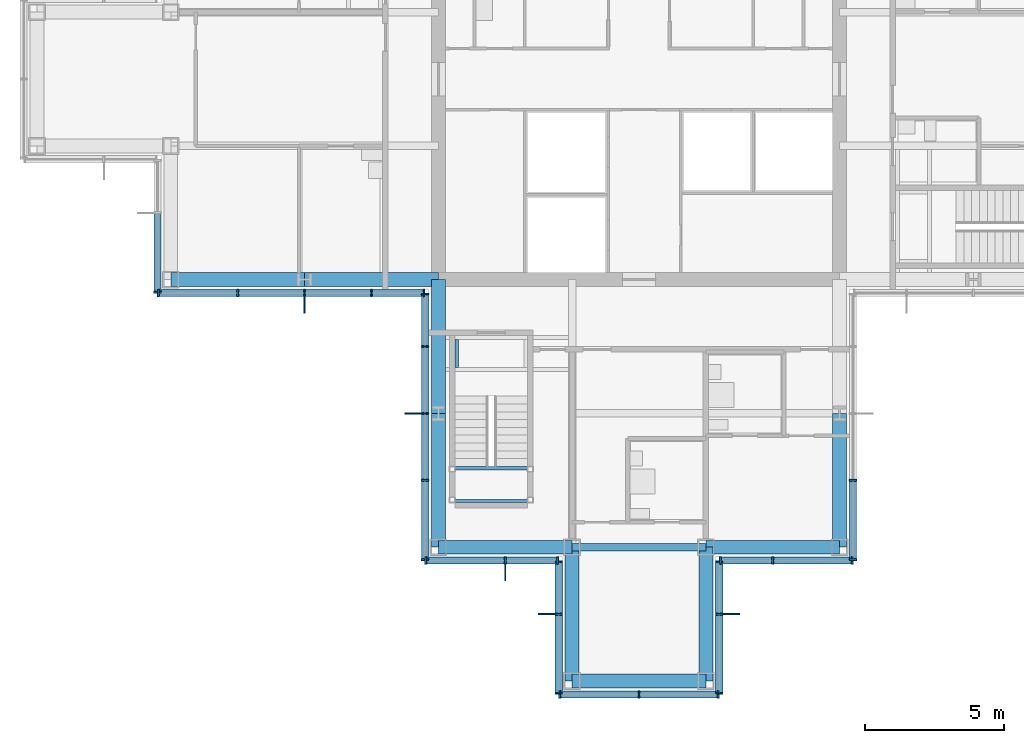
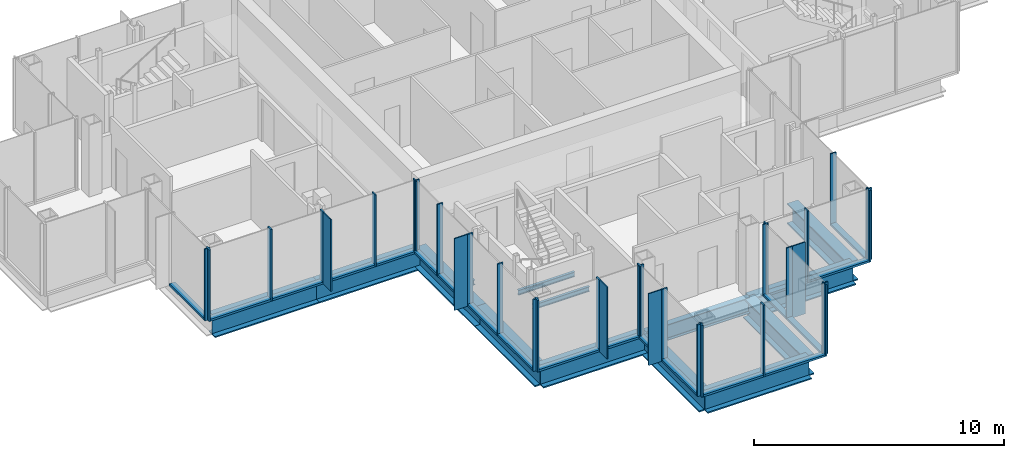
# One storey, part 5 of 15: 53 members, 14 beams, 9 elements without a shape of their own.
"""IFC4 building model written with IfcOpenShell, lengths in metres."""

from ifc_helpers import new_model, si_unit, direction, frame, origin, origin_2d, place, context, subcontext, project, spatial, rectangle, i_section, extrude, material, material_profile, profile_set, type_object, element, aggregate, save


model = new_model("IFC4")

# Units and contexts
model_context = context("Model", 3, precision=1e-05, world=origin(), true_north=direction((0.0, 1.0)))
body_context = subcontext(model_context, "Body", "Model", "MODEL_VIEW")
ifc_project = project(units=[si_unit("LENGTHUNIT", "METRE"), si_unit("AREAUNIT", "SQUARE_METRE"), si_unit("VOLUMEUNIT", "CUBIC_METRE"), si_unit("PLANEANGLEUNIT", "RADIAN"), si_unit("MASSUNIT", "GRAM", prefix="KILO")], contexts=[model_context])

# Site, building, storey
site_placement = place(None, origin())
site = spatial("IfcSite", under=ifc_project, at=site_placement, CompositionType="ELEMENT")
building_placement = place(site_placement, origin())
building = spatial("IfcBuilding", under=site, at=building_placement, Name="Kvirike Care Tower", CompositionType="ELEMENT")
storey_placement = place(building_placement, frame((0.0, 0.0, 236.5)))
storey = spatial("IfcBuildingStorey", under=building, at=storey_placement, Name="L65", CompositionType="ELEMENT", Elevation=236.5)

# Curtain wall, member
ifc_material_1 = material(Name="Anodised aluminium stick system", Category="aluminium")
curtain_wall_type = type_object("IfcCurtainWallType", Name="CW-D STICK CURTAIN WALL", PredefinedType="NOTDEFINED", material=ifc_material_1)
curtain_wall_1_placement = place(storey_placement, origin())
curtain_wall_1 = element("IfcCurtainWall", 1, at=curtain_wall_1_placement, inside=storey, type_object=curtain_wall_type, Name="Curtain wall L65 face 13", PredefinedType="NOTDEFINED")
ifc_material_2 = material(Name="Bronze anodised aluminium fin", Category="aluminium")
ifc_material_profile_1 = material_profile(ifc_material_2, rectangle(XDim=0.050048828125, YDim=0.60009765625, at=origin_2d()), Name="BRONZE FIN 600")
ifc_profile_set_1 = profile_set([ifc_material_profile_1], Name="Bronze anodised aluminium fin")
member_type_1 = type_object("IfcMemberType", Name="BRONZE FIN 600", PredefinedType="USERDEFINED", material=ifc_profile_set_1)
member_1_placement = place(storey_placement, frame((9.60009765625, 27.889892578125, 0.0), z_axis=(0.0, 0.0, 1.0), x_axis=(1.0, 0.0, 0.0)))
member_1 = element("IfcMember", 2, at=member_1_placement, type_object=member_type_1, Name="Bronze fin L65 face 13.3", ObjectType="FIN", PredefinedType="USERDEFINED", context=body_context, shape_type="SweptSolid", body=[
    extrude(rectangle(XDim=0.050048828125, YDim=0.60009765625, at=origin_2d()), origin(), (0.0, 0.0, 1.0), 3.5),
])

curtain_wall_2_placement = place(storey_placement, origin())
curtain_wall_2 = element("IfcCurtainWall", 3, at=curtain_wall_2_placement, inside=storey, type_object=curtain_wall_type, Name="Curtain wall L65 face 14", PredefinedType="NOTDEFINED")
member_2_placement = place(storey_placement, frame((13.489990234375, 24.0, 0.0), z_axis=(0.0, 0.0, 1.0), x_axis=(0.0, -1.0, 0.0)))
member_2 = element("IfcMember", 4, at=member_2_placement, type_object=member_type_1, Name="Bronze fin L65 face 14.3", ObjectType="FIN", PredefinedType="USERDEFINED", context=body_context, shape_type="SweptSolid", body=[
    extrude(rectangle(XDim=0.050048828125, YDim=0.60009765625, at=origin_2d()), origin(), (0.0, 0.0, 1.0), 3.5),
])

curtain_wall_3_placement = place(storey_placement, origin())
curtain_wall_3 = element("IfcCurtainWall", 5, at=curtain_wall_3_placement, inside=storey, type_object=curtain_wall_type, Name="Curtain wall L65 face 15", PredefinedType="NOTDEFINED")
member_3_placement = place(storey_placement, frame((16.800048828125, 18.2900390625, 0.0), z_axis=(0.0, 0.0, 1.0), x_axis=(1.0, 0.0, 0.0)))
member_3 = element("IfcMember", 6, at=member_3_placement, type_object=member_type_1, Name="Bronze fin L65 face 15.2", ObjectType="FIN", PredefinedType="USERDEFINED", context=body_context, shape_type="SweptSolid", body=[
    extrude(rectangle(XDim=0.050048828125, YDim=0.60009765625, at=origin_2d()), origin(), (0.0, 0.0, 1.0), 3.5),
])

curtain_wall_4_placement = place(storey_placement, origin())
curtain_wall_4 = element("IfcCurtainWall", 7, at=curtain_wall_4_placement, inside=storey, type_object=curtain_wall_type, Name="Curtain wall L65 face 16", PredefinedType="NOTDEFINED")
member_4_placement = place(storey_placement, frame((18.2900390625, 16.800048828125, 0.0), z_axis=(0.0, 0.0, 1.0), x_axis=(0.0, -1.0, 0.0)))
member_4 = element("IfcMember", 8, at=member_4_placement, type_object=member_type_1, Name="Bronze fin L65 face 16.2", ObjectType="FIN", PredefinedType="USERDEFINED", context=body_context, shape_type="SweptSolid", body=[
    extrude(rectangle(XDim=0.050048828125, YDim=0.60009765625, at=origin_2d()), origin(), (0.0, 0.0, 1.0), 3.5),
])

curtain_wall_5_placement = place(storey_placement, origin())
curtain_wall_5 = element("IfcCurtainWall", 9, at=curtain_wall_5_placement, inside=storey, type_object=curtain_wall_type, Name="Curtain wall L65 face 18", PredefinedType="NOTDEFINED")
member_5_placement = place(storey_placement, frame((24.909912109375, 16.800048828125, 0.0), z_axis=(0.0, 0.0, 1.0), x_axis=(0.0, 1.0, 0.0)))
member_5 = element("IfcMember", 10, at=member_5_placement, type_object=member_type_1, Name="Bronze fin L65 face 18.2", ObjectType="FIN", PredefinedType="USERDEFINED", context=body_context, shape_type="SweptSolid", body=[
    extrude(rectangle(XDim=0.050048828125, YDim=0.60009765625, at=origin_2d()), origin(), (0.0, 0.0, 1.0), 3.5),
])

curtain_wall_6_placement = place(storey_placement, origin())
curtain_wall_6 = element("IfcCurtainWall", 11, at=curtain_wall_6_placement, inside=storey, type_object=curtain_wall_type, Name="Curtain wall L65 face 12", PredefinedType="NOTDEFINED")
ifc_material_3 = material(Name="Bronze anodised aluminium mullion", Category="aluminium")
ifc_material_profile_2 = material_profile(ifc_material_3, rectangle(XDim=0.06494140625, YDim=0.260009765625, at=origin_2d()), Name="CW-D MULLION 65x260")
ifc_profile_set_2 = profile_set([ifc_material_profile_2], Name="Bronze anodised aluminium mullion")
member_type_2 = type_object("IfcMemberType", Name="CW-D MULLION 65x260", PredefinedType="MULLION", material=ifc_profile_set_2)
member_6_placement = place(storey_placement, frame((4.320068359375, 28.3525390625, 0.0), z_axis=(0.0, 0.0, 1.0), x_axis=(0.0, -1.0, 0.0)))
member_6 = element("IfcMember", 12, at=member_6_placement, type_object=member_type_2, Name="CW-D mullion L65 face 12.3", PredefinedType="MULLION", context=body_context, shape_type="SweptSolid", body=[
    extrude(rectangle(XDim=0.06494140625, YDim=0.260009765625, at=origin_2d()), origin(), (0.0, 0.0, 1.0), 3.5),
])

# Member
member_7_placement = place(storey_placement, frame((4.3525390625, 28.320068359375, 0.0), z_axis=(0.0, 0.0, 1.0), x_axis=(1.0, 0.0, 0.0)))
member_7 = element("IfcMember", 13, at=member_7_placement, type_object=member_type_2, Name="CW-D mullion L65 face 13.1", PredefinedType="MULLION", context=body_context, shape_type="SweptSolid", body=[
    extrude(rectangle(XDim=0.06494140625, YDim=0.260009765625, at=origin_2d()), origin(), (0.0, 0.0, 1.0), 3.5),
])

member_8_placement = place(storey_placement, frame((7.199951171875, 28.320068359375, 0.0), z_axis=(0.0, 0.0, 1.0), x_axis=(1.0, 0.0, 0.0)))
member_8 = element("IfcMember", 14, at=member_8_placement, type_object=member_type_2, Name="CW-D mullion L65 face 13.2", PredefinedType="MULLION", context=body_context, shape_type="SweptSolid", body=[
    extrude(rectangle(XDim=0.06494140625, YDim=0.260009765625, at=origin_2d()), origin(), (0.0, 0.0, 1.0), 3.5),
])

member_9_placement = place(storey_placement, frame((9.60009765625, 28.320068359375, 0.0), z_axis=(0.0, 0.0, 1.0), x_axis=(1.0, 0.0, 0.0)))
member_9 = element("IfcMember", 15, at=member_9_placement, type_object=member_type_2, Name="CW-D mullion L65 face 13.3", PredefinedType="MULLION", context=body_context, shape_type="SweptSolid", body=[
    extrude(rectangle(XDim=0.06494140625, YDim=0.260009765625, at=origin_2d()), origin(), (0.0, 0.0, 1.0), 3.5),
])

member_10_placement = place(storey_placement, frame((12.0, 28.320068359375, 0.0), z_axis=(0.0, 0.0, 1.0), x_axis=(1.0, 0.0, 0.0)))
member_10 = element("IfcMember", 16, at=member_10_placement, type_object=member_type_2, Name="CW-D mullion L65 face 13.4", PredefinedType="MULLION", context=body_context, shape_type="SweptSolid", body=[
    extrude(rectangle(XDim=0.06494140625, YDim=0.260009765625, at=origin_2d()), origin(), (0.0, 0.0, 1.0), 3.5),
])

member_11_placement = place(storey_placement, frame((13.887451171875, 28.320068359375, 0.0), z_axis=(0.0, 0.0, 1.0), x_axis=(1.0, 0.0, 0.0)))
member_11 = element("IfcMember", 17, at=member_11_placement, type_object=member_type_2, Name="CW-D mullion L65 face 13.5", PredefinedType="MULLION", context=body_context, shape_type="SweptSolid", body=[
    extrude(rectangle(XDim=0.06494140625, YDim=0.260009765625, at=origin_2d()), origin(), (0.0, 0.0, 1.0), 3.5),
])

member_12_placement = place(storey_placement, frame((13.919921875, 28.28759765625, 0.0), z_axis=(0.0, 0.0, 1.0), x_axis=(0.0, -1.0, 0.0)))
member_12 = element("IfcMember", 18, at=member_12_placement, type_object=member_type_2, Name="CW-D mullion L65 face 14.1", PredefinedType="MULLION", context=body_context, shape_type="SweptSolid", body=[
    extrude(rectangle(XDim=0.06494140625, YDim=0.260009765625, at=origin_2d()), origin(), (0.0, 0.0, 1.0), 3.5),
])

member_13_placement = place(storey_placement, frame((13.919921875, 26.39990234375, 0.0), z_axis=(0.0, 0.0, 1.0), x_axis=(0.0, -1.0, 0.0)))
member_13 = element("IfcMember", 19, at=member_13_placement, type_object=member_type_2, Name="CW-D mullion L65 face 14.2", PredefinedType="MULLION", context=body_context, shape_type="SweptSolid", body=[
    extrude(rectangle(XDim=0.06494140625, YDim=0.260009765625, at=origin_2d()), origin(), (0.0, 0.0, 1.0), 3.5),
])

member_14_placement = place(storey_placement, frame((13.919921875, 24.0, 0.0), z_axis=(0.0, 0.0, 1.0), x_axis=(0.0, -1.0, 0.0)))
member_14 = element("IfcMember", 20, at=member_14_placement, type_object=member_type_2, Name="CW-D mullion L65 face 14.3", PredefinedType="MULLION", context=body_context, shape_type="SweptSolid", body=[
    extrude(rectangle(XDim=0.06494140625, YDim=0.260009765625, at=origin_2d()), origin(), (0.0, 0.0, 1.0), 3.5),
])

member_15_placement = place(storey_placement, frame((13.919921875, 21.60009765625, 0.0), z_axis=(0.0, 0.0, 1.0), x_axis=(0.0, -1.0, 0.0)))
member_15 = element("IfcMember", 21, at=member_15_placement, type_object=member_type_2, Name="CW-D mullion L65 face 14.4", PredefinedType="MULLION", context=body_context, shape_type="SweptSolid", body=[
    extrude(rectangle(XDim=0.06494140625, YDim=0.260009765625, at=origin_2d()), origin(), (0.0, 0.0, 1.0), 3.5),
])

member_16_placement = place(storey_placement, frame((13.919921875, 18.75244140625, 0.0), z_axis=(0.0, 0.0, 1.0), x_axis=(0.0, -1.0, 0.0)))
member_16 = element("IfcMember", 22, at=member_16_placement, type_object=member_type_2, Name="CW-D mullion L65 face 14.5", PredefinedType="MULLION", context=body_context, shape_type="SweptSolid", body=[
    extrude(rectangle(XDim=0.06494140625, YDim=0.260009765625, at=origin_2d()), origin(), (0.0, 0.0, 1.0), 3.5),
])

member_17_placement = place(storey_placement, frame((13.952392578125, 18.719970703125, 0.0), z_axis=(0.0, 0.0, 1.0), x_axis=(1.0, 0.0, 0.0)))
member_17 = element("IfcMember", 23, at=member_17_placement, type_object=member_type_2, Name="CW-D mullion L65 face 15.1", PredefinedType="MULLION", context=body_context, shape_type="SweptSolid", body=[
    extrude(rectangle(XDim=0.06494140625, YDim=0.260009765625, at=origin_2d()), origin(), (0.0, 0.0, 1.0), 3.5),
])

member_18_placement = place(storey_placement, frame((16.800048828125, 18.719970703125, 0.0), z_axis=(0.0, 0.0, 1.0), x_axis=(1.0, 0.0, 0.0)))
member_18 = element("IfcMember", 24, at=member_18_placement, type_object=member_type_2, Name="CW-D mullion L65 face 15.2", PredefinedType="MULLION", context=body_context, shape_type="SweptSolid", body=[
    extrude(rectangle(XDim=0.06494140625, YDim=0.260009765625, at=origin_2d()), origin(), (0.0, 0.0, 1.0), 3.5),
])

member_19_placement = place(storey_placement, frame((18.6875, 18.719970703125, 0.0), z_axis=(0.0, 0.0, 1.0), x_axis=(1.0, 0.0, 0.0)))
member_19 = element("IfcMember", 25, at=member_19_placement, type_object=member_type_2, Name="CW-D mullion L65 face 15.3", PredefinedType="MULLION", context=body_context, shape_type="SweptSolid", body=[
    extrude(rectangle(XDim=0.06494140625, YDim=0.260009765625, at=origin_2d()), origin(), (0.0, 0.0, 1.0), 3.5),
])

member_20_placement = place(storey_placement, frame((18.719970703125, 18.6875, 0.0), z_axis=(0.0, 0.0, 1.0), x_axis=(0.0, -1.0, 0.0)))
member_20 = element("IfcMember", 26, at=member_20_placement, type_object=member_type_2, Name="CW-D mullion L65 face 16.1", PredefinedType="MULLION", context=body_context, shape_type="SweptSolid", body=[
    extrude(rectangle(XDim=0.06494140625, YDim=0.260009765625, at=origin_2d()), origin(), (0.0, 0.0, 1.0), 3.5),
])

member_21_placement = place(storey_placement, frame((18.719970703125, 16.800048828125, 0.0), z_axis=(0.0, 0.0, 1.0), x_axis=(0.0, -1.0, 0.0)))
member_21 = element("IfcMember", 27, at=member_21_placement, type_object=member_type_2, Name="CW-D mullion L65 face 16.2", PredefinedType="MULLION", context=body_context, shape_type="SweptSolid", body=[
    extrude(rectangle(XDim=0.06494140625, YDim=0.260009765625, at=origin_2d()), origin(), (0.0, 0.0, 1.0), 3.5),
])

member_22_placement = place(storey_placement, frame((18.719970703125, 13.952392578125, 0.0), z_axis=(0.0, 0.0, 1.0), x_axis=(0.0, -1.0, 0.0)))
member_22 = element("IfcMember", 28, at=member_22_placement, type_object=member_type_2, Name="CW-D mullion L65 face 16.3", PredefinedType="MULLION", context=body_context, shape_type="SweptSolid", body=[
    extrude(rectangle(XDim=0.06494140625, YDim=0.260009765625, at=origin_2d()), origin(), (0.0, 0.0, 1.0), 3.5),
])

# Curtain wall, members
curtain_wall_7_placement = place(storey_placement, origin())
curtain_wall_7 = element("IfcCurtainWall", 29, at=curtain_wall_7_placement, inside=storey, type_object=curtain_wall_type, Name="Curtain wall L65 face 17", PredefinedType="NOTDEFINED")
member_23_placement = place(storey_placement, frame((18.75244140625, 13.919921875, 0.0), z_axis=(0.0, 0.0, 1.0), x_axis=(1.0, 0.0, 0.0)))
member_23 = element("IfcMember", 30, at=member_23_placement, type_object=member_type_2, Name="CW-D mullion L65 face 17.1", PredefinedType="MULLION", context=body_context, shape_type="SweptSolid", body=[
    extrude(rectangle(XDim=0.06494140625, YDim=0.260009765625, at=origin_2d()), origin(), (0.0, 0.0, 1.0), 3.5),
])
member_24_placement = place(storey_placement, frame((21.60009765625, 13.919921875, 0.0), z_axis=(0.0, 0.0, 1.0), x_axis=(1.0, 0.0, 0.0)))
member_24 = element("IfcMember", 31, at=member_24_placement, type_object=member_type_2, Name="CW-D mullion L65 face 17.2", PredefinedType="MULLION", context=body_context, shape_type="SweptSolid", body=[
    extrude(rectangle(XDim=0.06494140625, YDim=0.260009765625, at=origin_2d()), origin(), (0.0, 0.0, 1.0), 3.5),
])
member_25_placement = place(storey_placement, frame((24.447509765625, 13.919921875, 0.0), z_axis=(0.0, 0.0, 1.0), x_axis=(1.0, 0.0, 0.0)))
member_25 = element("IfcMember", 32, at=member_25_placement, type_object=member_type_2, Name="CW-D mullion L65 face 17.3", PredefinedType="MULLION", context=body_context, shape_type="SweptSolid", body=[
    extrude(rectangle(XDim=0.06494140625, YDim=0.260009765625, at=origin_2d()), origin(), (0.0, 0.0, 1.0), 3.5),
])

# Member
member_26_placement = place(storey_placement, frame((24.47998046875, 13.952392578125, 0.0), z_axis=(0.0, 0.0, 1.0), x_axis=(0.0, 1.0, 0.0)))
member_26 = element("IfcMember", 33, at=member_26_placement, type_object=member_type_2, Name="CW-D mullion L65 face 18.1", PredefinedType="MULLION", context=body_context, shape_type="SweptSolid", body=[
    extrude(rectangle(XDim=0.06494140625, YDim=0.260009765625, at=origin_2d()), origin(), (0.0, 0.0, 1.0), 3.5),
])

member_27_placement = place(storey_placement, frame((24.47998046875, 16.800048828125, 0.0), z_axis=(0.0, 0.0, 1.0), x_axis=(0.0, 1.0, 0.0)))
member_27 = element("IfcMember", 34, at=member_27_placement, type_object=member_type_2, Name="CW-D mullion L65 face 18.2", PredefinedType="MULLION", context=body_context, shape_type="SweptSolid", body=[
    extrude(rectangle(XDim=0.06494140625, YDim=0.260009765625, at=origin_2d()), origin(), (0.0, 0.0, 1.0), 3.5),
])

member_28_placement = place(storey_placement, frame((24.47998046875, 18.6875, 0.0), z_axis=(0.0, 0.0, 1.0), x_axis=(0.0, 1.0, 0.0)))
member_28 = element("IfcMember", 35, at=member_28_placement, type_object=member_type_2, Name="CW-D mullion L65 face 18.3", PredefinedType="MULLION", context=body_context, shape_type="SweptSolid", body=[
    extrude(rectangle(XDim=0.06494140625, YDim=0.260009765625, at=origin_2d()), origin(), (0.0, 0.0, 1.0), 3.5),
])

# Curtain wall, members
curtain_wall_8_placement = place(storey_placement, origin())
curtain_wall_8 = element("IfcCurtainWall", 36, at=curtain_wall_8_placement, inside=storey, type_object=curtain_wall_type, Name="Curtain wall L65 face 19", PredefinedType="NOTDEFINED")
member_29_placement = place(storey_placement, frame((24.512451171875, 18.719970703125, 0.0), z_axis=(0.0, 0.0, 1.0), x_axis=(1.0, 0.0, 0.0)))
member_29 = element("IfcMember", 37, at=member_29_placement, type_object=member_type_2, Name="CW-D mullion L65 face 19.1", PredefinedType="MULLION", context=body_context, shape_type="SweptSolid", body=[
    extrude(rectangle(XDim=0.06494140625, YDim=0.260009765625, at=origin_2d()), origin(), (0.0, 0.0, 1.0), 3.5),
])
member_30_placement = place(storey_placement, frame((26.39990234375, 18.719970703125, 0.0), z_axis=(0.0, 0.0, 1.0), x_axis=(1.0, 0.0, 0.0)))
member_30 = element("IfcMember", 38, at=member_30_placement, type_object=member_type_2, Name="CW-D mullion L65 face 19.2", PredefinedType="MULLION", context=body_context, shape_type="SweptSolid", body=[
    extrude(rectangle(XDim=0.06494140625, YDim=0.260009765625, at=origin_2d()), origin(), (0.0, 0.0, 1.0), 3.5),
])
member_31_placement = place(storey_placement, frame((29.24755859375, 18.719970703125, 0.0), z_axis=(0.0, 0.0, 1.0), x_axis=(1.0, 0.0, 0.0)))
member_31 = element("IfcMember", 39, at=member_31_placement, type_object=member_type_2, Name="CW-D mullion L65 face 19.3", PredefinedType="MULLION", context=body_context, shape_type="SweptSolid", body=[
    extrude(rectangle(XDim=0.06494140625, YDim=0.260009765625, at=origin_2d()), origin(), (0.0, 0.0, 1.0), 3.5),
])

curtain_wall_9_placement = place(storey_placement, origin())
curtain_wall_9 = element("IfcCurtainWall", 40, at=curtain_wall_9_placement, inside=storey, type_object=curtain_wall_type, Name="Curtain wall L65 face 20", PredefinedType="NOTDEFINED")
member_32_placement = place(storey_placement, frame((29.280029296875, 18.75244140625, 0.0), z_axis=(0.0, 0.0, 1.0), x_axis=(0.0, 1.0, 0.0)))
member_32 = element("IfcMember", 41, at=member_32_placement, type_object=member_type_2, Name="CW-D mullion L65 face 20.1", PredefinedType="MULLION", context=body_context, shape_type="SweptSolid", body=[
    extrude(rectangle(XDim=0.06494140625, YDim=0.260009765625, at=origin_2d()), origin(), (0.0, 0.0, 1.0), 3.5),
])
member_33_placement = place(storey_placement, frame((29.280029296875, 21.60009765625, 0.0), z_axis=(0.0, 0.0, 1.0), x_axis=(0.0, 1.0, 0.0)))
member_33 = element("IfcMember", 42, at=member_33_placement, type_object=member_type_2, Name="CW-D mullion L65 face 20.2", PredefinedType="MULLION", context=body_context, shape_type="SweptSolid", body=[
    extrude(rectangle(XDim=0.06494140625, YDim=0.260009765625, at=origin_2d()), origin(), (0.0, 0.0, 1.0), 3.5),
])

# Member
ifc_material_4 = material(Name="Bronze anodised aluminium transom", Category="aluminium")
ifc_material_profile_3 = material_profile(ifc_material_4, rectangle(XDim=0.260009765625, YDim=0.10009765625, at=origin_2d()), Name="CW-D TRANSOM 260x100")
ifc_profile_set_3 = profile_set([ifc_material_profile_3], Name="Bronze anodised aluminium transom")
member_type_3 = type_object("IfcMemberType", Name="CW-D TRANSOM 260x100", PredefinedType="USERDEFINED", material=ifc_profile_set_3)
member_34_placement = place(storey_placement, frame((4.320068359375, 31.16748046875, 0.050048828125), z_axis=(0.0, -1.0, 0.0), x_axis=(1.0, 0.0, 0.0)))
member_34 = element("IfcMember", 43, at=member_34_placement, type_object=member_type_3, Name="CW-D sill transom L65 face 12.2", ObjectType="TRANSOM", PredefinedType="USERDEFINED", context=body_context, shape_type="SweptSolid", body=[
    extrude(rectangle(XDim=0.260009765625, YDim=0.10009765625, at=origin_2d()), origin(), (0.0, 0.0, 1.0), 2.782470703125),
])

aggregate(curtain_wall_6, [member_6, member_34])

member_35_placement = place(storey_placement, frame((4.385009765625, 28.320068359375, 0.050048828125), z_axis=(1.0, 0.0, 0.0), x_axis=(0.0, 1.0, 0.0)))
member_35 = element("IfcMember", 44, at=member_35_placement, type_object=member_type_3, Name="CW-D sill transom L65 face 13.1", ObjectType="TRANSOM", PredefinedType="USERDEFINED", context=body_context, shape_type="SweptSolid", body=[
    extrude(rectangle(XDim=0.260009765625, YDim=0.10009765625, at=origin_2d()), origin(), (0.0, 0.0, 1.0), 2.782470703125),
])

member_36_placement = place(storey_placement, frame((7.232421875, 28.320068359375, 0.050048828125), z_axis=(1.0, 0.0, 0.0), x_axis=(0.0, 1.0, 0.0)))
member_36 = element("IfcMember", 45, at=member_36_placement, type_object=member_type_3, Name="CW-D sill transom L65 face 13.2", ObjectType="TRANSOM", PredefinedType="USERDEFINED", context=body_context, shape_type="SweptSolid", body=[
    extrude(rectangle(XDim=0.260009765625, YDim=0.10009765625, at=origin_2d()), origin(), (0.0, 0.0, 1.0), 2.3349609375),
])

member_37_placement = place(storey_placement, frame((9.632568359375, 28.320068359375, 0.050048828125), z_axis=(1.0, 0.0, 0.0), x_axis=(0.0, 1.0, 0.0)))
member_37 = element("IfcMember", 46, at=member_37_placement, type_object=member_type_3, Name="CW-D sill transom L65 face 13.3", ObjectType="TRANSOM", PredefinedType="USERDEFINED", context=body_context, shape_type="SweptSolid", body=[
    extrude(rectangle(XDim=0.260009765625, YDim=0.10009765625, at=origin_2d()), origin(), (0.0, 0.0, 1.0), 2.3349609375),
])

member_38_placement = place(storey_placement, frame((12.032470703125, 28.320068359375, 0.050048828125), z_axis=(1.0, 0.0, 0.0), x_axis=(0.0, 1.0, 0.0)))
member_38 = element("IfcMember", 47, at=member_38_placement, type_object=member_type_3, Name="CW-D sill transom L65 face 13.4", ObjectType="TRANSOM", PredefinedType="USERDEFINED", context=body_context, shape_type="SweptSolid", body=[
    extrude(rectangle(XDim=0.260009765625, YDim=0.10009765625, at=origin_2d()), origin(), (0.0, 0.0, 1.0), 1.822509765625),
])

aggregate(curtain_wall_1, [member_7, member_8, member_9, member_1, member_10, member_11, member_35, member_36, member_37, member_38])

member_39_placement = place(storey_placement, frame((13.919921875, 28.2548828125, 0.050048828125), z_axis=(0.0, -1.0, 0.0), x_axis=(1.0, 0.0, 0.0)))
member_39 = element("IfcMember", 48, at=member_39_placement, type_object=member_type_3, Name="CW-D sill transom L65 face 14.1", ObjectType="TRANSOM", PredefinedType="USERDEFINED", context=body_context, shape_type="SweptSolid", body=[
    extrude(rectangle(XDim=0.260009765625, YDim=0.10009765625, at=origin_2d()), origin(), (0.0, 0.0, 1.0), 1.822265625),
])

member_40_placement = place(storey_placement, frame((13.919921875, 26.367431640625, 0.050048828125), z_axis=(0.0, -1.0, 0.0), x_axis=(1.0, 0.0, 0.0)))
member_40 = element("IfcMember", 49, at=member_40_placement, type_object=member_type_3, Name="CW-D sill transom L65 face 14.2", ObjectType="TRANSOM", PredefinedType="USERDEFINED", context=body_context, shape_type="SweptSolid", body=[
    extrude(rectangle(XDim=0.260009765625, YDim=0.10009765625, at=origin_2d()), origin(), (0.0, 0.0, 1.0), 2.3349609375),
])

member_41_placement = place(storey_placement, frame((13.919921875, 23.967529296875, 0.050048828125), z_axis=(0.0, -1.0, 0.0), x_axis=(1.0, 0.0, 0.0)))
member_41 = element("IfcMember", 50, at=member_41_placement, type_object=member_type_3, Name="CW-D sill transom L65 face 14.3", ObjectType="TRANSOM", PredefinedType="USERDEFINED", context=body_context, shape_type="SweptSolid", body=[
    extrude(rectangle(XDim=0.260009765625, YDim=0.10009765625, at=origin_2d()), origin(), (0.0, 0.0, 1.0), 2.3349609375),
])

member_42_placement = place(storey_placement, frame((13.919921875, 21.5673828125, 0.050048828125), z_axis=(0.0, -1.0, 0.0), x_axis=(1.0, 0.0, 0.0)))
member_42 = element("IfcMember", 51, at=member_42_placement, type_object=member_type_3, Name="CW-D sill transom L65 face 14.4", ObjectType="TRANSOM", PredefinedType="USERDEFINED", context=body_context, shape_type="SweptSolid", body=[
    extrude(rectangle(XDim=0.260009765625, YDim=0.10009765625, at=origin_2d()), origin(), (0.0, 0.0, 1.0), 2.782470703125),
])

aggregate(curtain_wall_2, [member_12, member_13, member_14, member_2, member_15, member_16, member_39, member_40, member_41, member_42])

member_43_placement = place(storey_placement, frame((13.985107421875, 18.719970703125, 0.050048828125), z_axis=(1.0, 0.0, 0.0), x_axis=(0.0, 1.0, 0.0)))
member_43 = element("IfcMember", 52, at=member_43_placement, type_object=member_type_3, Name="CW-D sill transom L65 face 15.1", ObjectType="TRANSOM", PredefinedType="USERDEFINED", context=body_context, shape_type="SweptSolid", body=[
    extrude(rectangle(XDim=0.260009765625, YDim=0.10009765625, at=origin_2d()), origin(), (0.0, 0.0, 1.0), 2.782470703125),
])

member_44_placement = place(storey_placement, frame((16.83251953125, 18.719970703125, 0.050048828125), z_axis=(1.0, 0.0, 0.0), x_axis=(0.0, 1.0, 0.0)))
member_44 = element("IfcMember", 53, at=member_44_placement, type_object=member_type_3, Name="CW-D sill transom L65 face 15.2", ObjectType="TRANSOM", PredefinedType="USERDEFINED", context=body_context, shape_type="SweptSolid", body=[
    extrude(rectangle(XDim=0.260009765625, YDim=0.10009765625, at=origin_2d()), origin(), (0.0, 0.0, 1.0), 1.822509765625),
])

aggregate(curtain_wall_3, [member_17, member_18, member_3, member_19, member_43, member_44])

member_45_placement = place(storey_placement, frame((18.719970703125, 18.655029296875, 0.050048828125), z_axis=(0.0, -1.0, 0.0), x_axis=(1.0, 0.0, 0.0)))
member_45 = element("IfcMember", 54, at=member_45_placement, type_object=member_type_3, Name="CW-D sill transom L65 face 16.1", ObjectType="TRANSOM", PredefinedType="USERDEFINED", context=body_context, shape_type="SweptSolid", body=[
    extrude(rectangle(XDim=0.260009765625, YDim=0.10009765625, at=origin_2d()), origin(), (0.0, 0.0, 1.0), 1.822509765625),
])

member_46_placement = place(storey_placement, frame((18.719970703125, 16.767578125, 0.050048828125), z_axis=(0.0, -1.0, 0.0), x_axis=(1.0, 0.0, 0.0)))
member_46 = element("IfcMember", 55, at=member_46_placement, type_object=member_type_3, Name="CW-D sill transom L65 face 16.2", ObjectType="TRANSOM", PredefinedType="USERDEFINED", context=body_context, shape_type="SweptSolid", body=[
    extrude(rectangle(XDim=0.260009765625, YDim=0.10009765625, at=origin_2d()), origin(), (0.0, 0.0, 1.0), 2.782470703125),
])

aggregate(curtain_wall_4, [member_20, member_21, member_4, member_22, member_45, member_46])

member_47_placement = place(storey_placement, frame((18.784912109375, 13.919921875, 0.050048828125), z_axis=(1.0, 0.0, 0.0), x_axis=(0.0, 1.0, 0.0)))
member_47 = element("IfcMember", 56, at=member_47_placement, type_object=member_type_3, Name="CW-D sill transom L65 face 17.1", ObjectType="TRANSOM", PredefinedType="USERDEFINED", context=body_context, shape_type="SweptSolid", body=[
    extrude(rectangle(XDim=0.260009765625, YDim=0.10009765625, at=origin_2d()), origin(), (0.0, 0.0, 1.0), 2.782470703125),
])

member_48_placement = place(storey_placement, frame((21.632568359375, 13.919921875, 0.050048828125), z_axis=(1.0, 0.0, 0.0), x_axis=(0.0, 1.0, 0.0)))
member_48 = element("IfcMember", 57, at=member_48_placement, type_object=member_type_3, Name="CW-D sill transom L65 face 17.2", ObjectType="TRANSOM", PredefinedType="USERDEFINED", context=body_context, shape_type="SweptSolid", body=[
    extrude(rectangle(XDim=0.260009765625, YDim=0.10009765625, at=origin_2d()), origin(), (0.0, 0.0, 1.0), 2.782470703125),
])

aggregate(curtain_wall_7, [member_23, member_24, member_25, member_47, member_48])

member_49_placement = place(storey_placement, frame((24.47998046875, 13.985107421875, 0.050048828125), z_axis=(0.0, 1.0, 0.0), x_axis=(-1.0, 0.0, 0.0)))
member_49 = element("IfcMember", 58, at=member_49_placement, type_object=member_type_3, Name="CW-D sill transom L65 face 18.1", ObjectType="TRANSOM", PredefinedType="USERDEFINED", context=body_context, shape_type="SweptSolid", body=[
    extrude(rectangle(XDim=0.260009765625, YDim=0.10009765625, at=origin_2d()), origin(), (0.0, 0.0, 1.0), 2.782470703125),
])

member_50_placement = place(storey_placement, frame((24.47998046875, 16.83251953125, 0.050048828125), z_axis=(0.0, 1.0, 0.0), x_axis=(-1.0, 0.0, 0.0)))
member_50 = element("IfcMember", 59, at=member_50_placement, type_object=member_type_3, Name="CW-D sill transom L65 face 18.2", ObjectType="TRANSOM", PredefinedType="USERDEFINED", context=body_context, shape_type="SweptSolid", body=[
    extrude(rectangle(XDim=0.260009765625, YDim=0.10009765625, at=origin_2d()), origin(), (0.0, 0.0, 1.0), 1.822509765625),
])

aggregate(curtain_wall_5, [member_26, member_27, member_5, member_28, member_49, member_50])

member_51_placement = place(storey_placement, frame((24.544921875, 18.719970703125, 0.050048828125), z_axis=(1.0, 0.0, 0.0), x_axis=(0.0, 1.0, 0.0)))
member_51 = element("IfcMember", 60, at=member_51_placement, type_object=member_type_3, Name="CW-D sill transom L65 face 19.1", ObjectType="TRANSOM", PredefinedType="USERDEFINED", context=body_context, shape_type="SweptSolid", body=[
    extrude(rectangle(XDim=0.260009765625, YDim=0.10009765625, at=origin_2d()), origin(), (0.0, 0.0, 1.0), 1.822509765625),
])

member_52_placement = place(storey_placement, frame((26.4326171875, 18.719970703125, 0.050048828125), z_axis=(1.0, 0.0, 0.0), x_axis=(0.0, 1.0, 0.0)))
member_52 = element("IfcMember", 61, at=member_52_placement, type_object=member_type_3, Name="CW-D sill transom L65 face 19.2", ObjectType="TRANSOM", PredefinedType="USERDEFINED", context=body_context, shape_type="SweptSolid", body=[
    extrude(rectangle(XDim=0.260009765625, YDim=0.10009765625, at=origin_2d()), origin(), (0.0, 0.0, 1.0), 2.782470703125),
])

aggregate(curtain_wall_8, [member_29, member_30, member_31, member_51, member_52])

member_53_placement = place(storey_placement, frame((29.280029296875, 18.784912109375, 0.050048828125), z_axis=(0.0, 1.0, 0.0), x_axis=(-1.0, 0.0, 0.0)))
member_53 = element("IfcMember", 62, at=member_53_placement, type_object=member_type_3, Name="CW-D sill transom L65 face 20.1", ObjectType="TRANSOM", PredefinedType="USERDEFINED", context=body_context, shape_type="SweptSolid", body=[
    extrude(rectangle(XDim=0.260009765625, YDim=0.10009765625, at=origin_2d()), origin(), (0.0, 0.0, 1.0), 2.782470703125),
])

aggregate(curtain_wall_9, [member_32, member_33, member_53])

# Beams
ifc_material_5 = material(Name="Steel S355", Category="steel")
ifc_material_profile_4 = material_profile(ifc_material_5, i_section(OverallWidth=0.26806640625, OverallDepth=0.77001953125, WebThickness=0.015625, FlangeThickness=0.025390625, FilletRadius=0.01708984375, at=origin_2d()), Name="IPE 750x196")
ifc_profile_set_4 = profile_set([ifc_material_profile_4], Name="Steel S355")
beam_type_1 = type_object("IfcBeamType", Name="FLOOR BEAM IPE 750x196", PredefinedType="BEAM", material=ifc_profile_set_4)
beam_1_placement = place(storey_placement, frame((19.199951171875, 19.199951171875, -0.554931640625), z_axis=(1.0, 0.0, 0.0), x_axis=(0.0, 1.0, 0.0)))
element("IfcBeam", 63, at=beam_1_placement, inside=storey, type_object=beam_type_1, Name="Floor Beam E7-E8 L65", PredefinedType="BEAM", context=body_context, shape_type="SweptSolid", body=[
    extrude(i_section(OverallWidth=0.26806640625, OverallDepth=0.77001953125, WebThickness=0.015625, FlangeThickness=0.025390625, FilletRadius=0.01708984375, at=origin_2d()), origin(), (0.0, 0.0, 1.0), 4.800048828125),
])
ifc_material_6 = material(Name="Steel S355", Category="steel")
ifc_material_profile_5 = material_profile(ifc_material_6, i_section(OverallWidth=0.5, OverallDepth=1.0, WebThickness=0.030029296875, FlangeThickness=0.06005859375, at=origin_2d()), Name="PG 1000x500x30x60")
ifc_profile_set_5 = profile_set([ifc_material_profile_5], Name="Steel S355")
beam_type_2 = type_object("IfcBeamType", Name="SPANDREL PG 1000x500x30x60", PredefinedType="SPANDREL", material=ifc_profile_set_5)
for number, where, z_axis, x_axis, name in (
    (64, (19.199951171875, 14.39990234375, -0.669921875), (1.0, 0.0, 0.0), (0.0, 1.0, 0.0), "Spandrel D7-D8 L65"),
    (65, (14.39990234375, 19.199951171875, -0.669921875), (1.0, 0.0, 0.0), (0.0, 1.0, 0.0), "Spandrel E6-E7 L65"),
    (66, (24.0, 19.199951171875, -0.669921875), (1.0, 0.0, 0.0), (0.0, 1.0, 0.0), "Spandrel E8-E9 L65"),
    (67, (4.800048828125, 28.800048828125, -0.669921875), (1.0, 0.0, 0.0), (0.0, 1.0, 0.0), "Spandrel G4-G5 L65"),
):
    element("IfcBeam", number, at=place(storey_placement, frame(where, z_axis=z_axis, x_axis=x_axis)), inside=storey, type_object=beam_type_2, Name=name, PredefinedType="SPANDREL", context=body_context, shape_type="SweptSolid", body=[
        extrude(i_section(OverallWidth=0.5, OverallDepth=1.0, WebThickness=0.030029296875, FlangeThickness=0.06005859375, at=origin_2d()), origin(), (0.0, 0.0, 1.0), 4.800048828125),
    ])
beam_2_placement = place(storey_placement, frame((9.60009765625, 28.800048828125, -0.669921875), z_axis=(1.0, 0.0, 0.0), x_axis=(0.0, 1.0, 0.0)))
element("IfcBeam", 68, at=beam_2_placement, inside=storey, type_object=beam_type_2, Name="Spandrel G5-G6 L65", PredefinedType="SPANDREL", context=body_context, shape_type="SweptSolid", body=[
    extrude(i_section(OverallWidth=0.5, OverallDepth=1.0, WebThickness=0.030029296875, FlangeThickness=0.06005859375, at=origin_2d()), origin(), (0.0, 0.0, 1.0), 4.7998046875),
])
for number, where, z_axis, x_axis, name in (
    (69, (14.39990234375, 19.199951171875, -0.669921875), (0.0, 1.0, 0.0), (-1.0, 0.0, 0.0), "Spandrel E6-F6 L65"),
    (70, (14.39990234375, 24.0, -0.669921875), (0.0, 1.0, 0.0), (-1.0, 0.0, 0.0), "Spandrel F6-G6 L65"),
    (71, (19.199951171875, 14.39990234375, -0.669921875), (0.0, 1.0, 0.0), (-1.0, 0.0, 0.0), "Spandrel D7-E7 L65"),
    (72, (24.0, 14.39990234375, -0.669921875), (0.0, 1.0, 0.0), (-1.0, 0.0, 0.0), "Spandrel D8-E8 L65"),
    (73, (28.800048828125, 19.199951171875, -0.669921875), (0.0, 1.0, 0.0), (-1.0, 0.0, 0.0), "Spandrel E9-F9 L65"),
):
    element("IfcBeam", number, at=place(storey_placement, frame(where, z_axis=z_axis, x_axis=x_axis)), inside=storey, type_object=beam_type_2, Name=name, PredefinedType="SPANDREL", context=body_context, shape_type="SweptSolid", body=[
        extrude(i_section(OverallWidth=0.5, OverallDepth=1.0, WebThickness=0.030029296875, FlangeThickness=0.06005859375, at=origin_2d()), origin(), (0.0, 0.0, 1.0), 4.800048828125),
    ])
ifc_material_7 = material(Name="Steel S355", Category="steel")
ifc_material_profile_6 = material_profile(ifc_material_7, i_section(OverallWidth=0.1201171875, OverallDepth=0.239990234375, WebThickness=0.006103515625, FlangeThickness=0.009765625, FilletRadius=0.014892578125, at=origin_2d()), Name="IPE 240")
ifc_profile_set_6 = profile_set([ifc_material_profile_6], Name="Steel S355")
beam_type_3 = type_object("IfcBeamType", Name="STAIR LANDING BEAM IPE 240", PredefinedType="BEAM", material=ifc_profile_set_6)
for number, where, z_axis, x_axis, name in (
    (74, (15.0, 20.860107421875, 1.429931640625), (1.0, 0.0, 0.0), (0.0, 1.0, 0.0), "Stair 5 landing beam back L65"),
    (75, (15.0, 22.0400390625, 1.429931640625), (1.0, 0.0, 0.0), (0.0, 1.0, 0.0), "Stair 5 landing beam front L65"),
):
    element("IfcBeam", number, at=place(storey_placement, frame(where, z_axis=z_axis, x_axis=x_axis)), inside=storey, type_object=beam_type_3, Name=name, PredefinedType="BEAM", context=body_context, shape_type="SweptSolid", body=[
        extrude(i_section(OverallWidth=0.1201171875, OverallDepth=0.239990234375, WebThickness=0.006103515625, FlangeThickness=0.009765625, FilletRadius=0.014892578125, at=origin_2d()), origin(), (0.0, 0.0, 1.0), 2.60009765625),
    ])
beam_3_placement = place(storey_placement, frame((15.06005859375, 25.64990234375, -0.320068359375), z_axis=(0.0, 1.0, 0.0), x_axis=(-1.0, 0.0, 0.0)))
element("IfcBeam", 76, at=beam_3_placement, inside=storey, type_object=beam_type_3, Name="Stair 5 landing edge beam 1 L65", PredefinedType="BEAM", context=body_context, shape_type="SweptSolid", body=[
    extrude(i_section(OverallWidth=0.1201171875, OverallDepth=0.239990234375, WebThickness=0.006103515625, FlangeThickness=0.009765625, FilletRadius=0.014892578125, at=origin_2d()), origin(), (0.0, 0.0, 1.0), 1.0),
])

save(model, "model.ifc")
